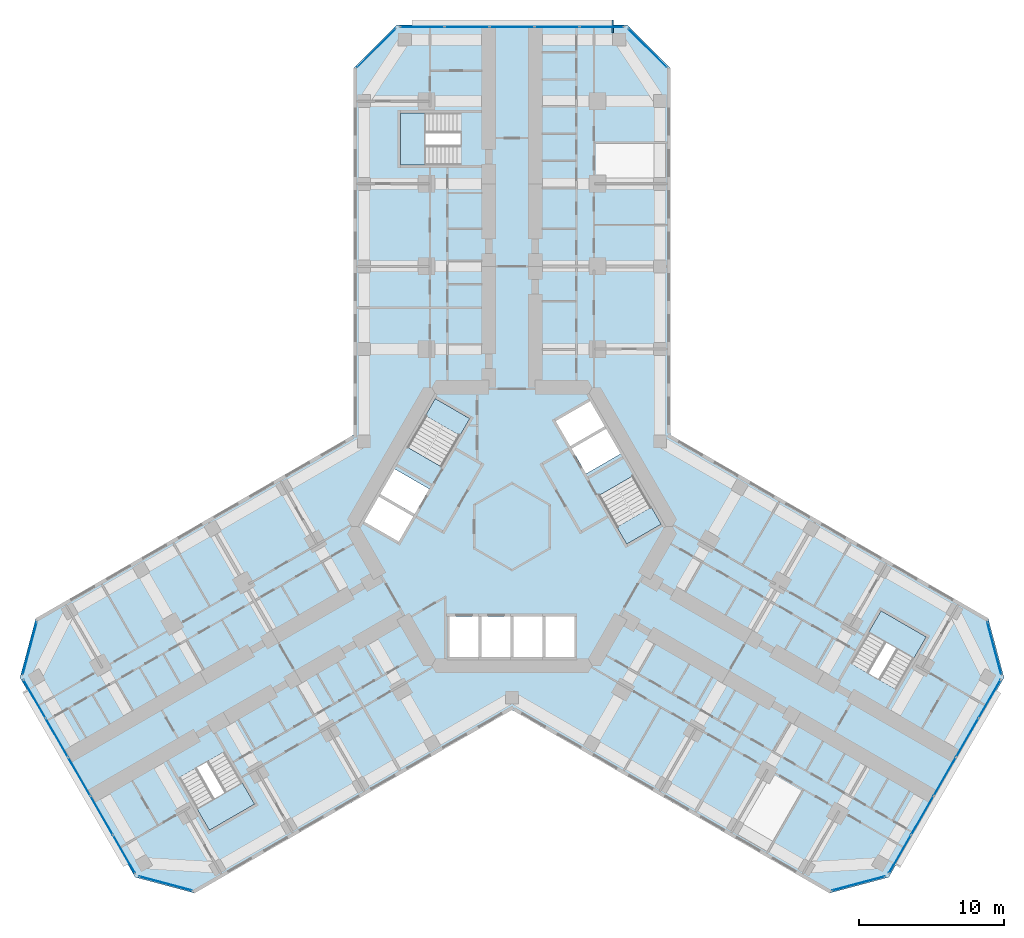
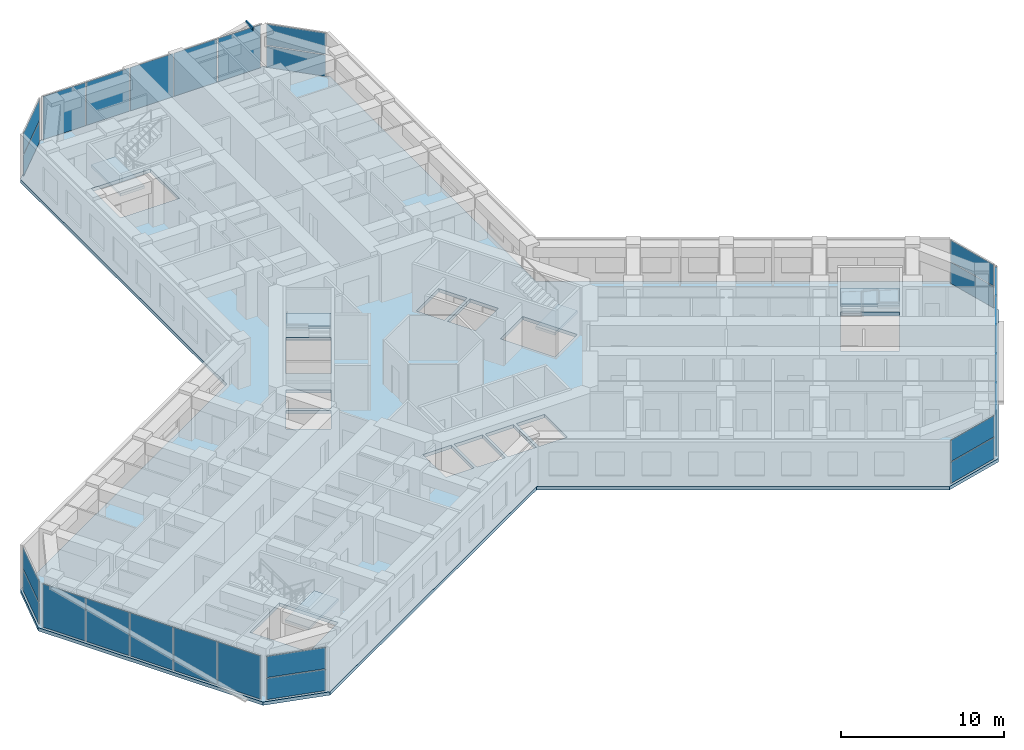
# One storey, part 9 of 21: 27 plates, 6 slabs, 1 member, 14 elements without a shape of their own.
"""IFC4 building model written with IfcOpenShell, lengths in metres."""

from ifc_helpers import new_model, si_unit, direction, frame, origin, origin_2d, place, context, subcontext, project, spatial, polyline, rectangle, hollow_rectangle, outline, extrude, material, layer, layer_set, material_profile, profile_set, type_object, element, aggregate, save


model = new_model("IFC4")

# Units and contexts
model_context = context("Model", 3, precision=1e-05, world=origin(), true_north=direction((0.0, 1.0)))
body_context = subcontext(model_context, "Body", "Model", "MODEL_VIEW")
ifc_project = project(units=[si_unit("LENGTHUNIT", "METRE"), si_unit("AREAUNIT", "SQUARE_METRE"), si_unit("VOLUMEUNIT", "CUBIC_METRE"), si_unit("PLANEANGLEUNIT", "RADIAN"), si_unit("MASSUNIT", "GRAM", prefix="KILO")], contexts=[model_context])

# Site, building, storey
site_placement = place(None, origin())
site = spatial("IfcSite", under=ifc_project, at=site_placement, CompositionType="ELEMENT")
building_placement = place(site_placement, origin())
building = spatial("IfcBuilding", under=site, at=building_placement, Name="Kosmar Iwan School Tower", CompositionType="ELEMENT")
storey_placement = place(building_placement, frame((0.0, 0.0, 102.39990234375)))
storey = spatial("IfcBuildingStorey", under=building, at=storey_placement, Name="L25", CompositionType="ELEMENT", Elevation=102.39990234375)

# Member
ifc_material_1 = material(Name="Steel S355", Category="steel")
ifc_material_profile = material_profile(ifc_material_1, hollow_rectangle(XDim=0.10009765625, YDim=0.199951171875, WallThickness=0.008056640625, at=origin_2d()), Name="RHS 200x100x8")
ifc_profile_set = profile_set([ifc_material_profile], Name="Steel S355")
member_type = type_object("IfcMemberType", Name="Fin bracket RHS 200x100", PredefinedType="USERDEFINED", material=ifc_profile_set)
member_placement = place(storey_placement, frame((6.949951171875, 34.050048828125, 3.47509765625), z_axis=(0.0, 1.0, 0.0), x_axis=(-1.0, 0.0, 0.0)))
element("IfcMember", 1, at=member_placement, inside=storey, type_object=member_type, Name="Fin bracket L26", ObjectType="FIN BRACKET", PredefinedType="USERDEFINED", context=body_context, shape_type="SweptSolid", body=[
    extrude(hollow_rectangle(XDim=0.10009765625, YDim=0.199951171875, WallThickness=0.008056640625, at=origin_2d()), origin(), (0.0, 0.0, 1.0), 0.89990234375),
])

# Curtain wall, plates
ifc_material_2 = material(Name="Dark glass in black aluminium frame", Category="aluminium")
curtain_wall_type_1 = type_object("IfcCurtainWallType", Name="Chamfer curtain wall dark glass", PredefinedType="USERDEFINED", material=ifc_material_2)
curtain_wall_1_placement = place(storey_placement, origin())
curtain_wall_1 = element("IfcCurtainWall", 2, at=curtain_wall_1_placement, inside=storey, type_object=curtain_wall_type_1, Name="Curtain wall L25-F02", ObjectType="FACETED CURTAIN WALL", PredefinedType="USERDEFINED")
ifc_material_3 = material(Name="Dark glass", Category="glass")
ifc_layer_1 = layer(ifc_material_3, 0.028076171875)
ifc_layer_set_1 = layer_set([ifc_layer_1], Name="Dark glass panel 28")
plate_type = type_object("IfcPlateType", Name="Dark glass panel 28", PredefinedType="CURTAIN_PANEL", material=ifc_layer_set_1)
plate_1_placement = place(storey_placement, frame((23.908203125, -24.61328125, 0.06005859375), z_axis=(0.0, 0.0, 1.0), x_axis=(0.965925875495, 0.258818861462, 0.0)))
plate_1 = element("IfcPlate", 3, at=plate_1_placement, type_object=plate_type, Name="CW2 panel 1.1", PredefinedType="CURTAIN_PANEL", context=body_context, shape_type="SweptSolid", body=[
    extrude(rectangle(XDim=3.718994140625, YDim=0.028076171875, at=origin_2d()), origin(), (0.0, 0.0, 1.0), 1.5849609375),
])
plate_2_placement = place(storey_placement, frame((23.908203125, -24.61328125, 1.705078125), z_axis=(0.0, 0.0, 1.0), x_axis=(0.965925875495, 0.258818861462, 0.0)))
plate_2 = element("IfcPlate", 4, at=plate_2_placement, type_object=plate_type, Name="CW2 panel 1.2", PredefinedType="CURTAIN_PANEL", context=body_context, shape_type="SweptSolid", body=[
    extrude(rectangle(XDim=3.718994140625, YDim=0.028076171875, at=origin_2d()), origin(), (0.0, 0.0, 1.0), 1.5849609375),
])
aggregate(curtain_wall_1, [plate_1, plate_2])

ifc_material_4 = material(Name="Dark glass in black aluminium frame", Category="aluminium")
curtain_wall_type_2 = type_object("IfcCurtainWallType", Name="Tower curtain wall dark glass", PredefinedType="USERDEFINED", material=ifc_material_4)
curtain_wall_2_placement = place(storey_placement, origin())
curtain_wall_2 = element("IfcCurtainWall", 5, at=curtain_wall_2_placement, inside=storey, type_object=curtain_wall_type_2, Name="Curtain wall L25-F03", ObjectType="UNITISED CURTAIN WALL", PredefinedType="USERDEFINED")
plate_3_placement = place(storey_placement, frame((26.764404296875, -22.592529296875, 0.06005859375), z_axis=(0.0, 0.0, 1.0), x_axis=(0.499999997325, 0.866025405329, 0.0)))
plate_3 = element("IfcPlate", 6, at=plate_3_placement, type_object=plate_type, Name="CW1 panel 1.1", PredefinedType="CURTAIN_PANEL", context=body_context, shape_type="SweptSolid", body=[
    extrude(rectangle(XDim=3.00927734375, YDim=0.028076171875, at=origin_2d()), origin(), (0.0, 0.0, 1.0), 3.22998046875),
])
plate_4_placement = place(storey_placement, frame((28.306640625, -19.921630859375, 0.06005859375), z_axis=(0.0, 0.0, 1.0), x_axis=(0.499999997325, 0.866025405329, 0.0)))
plate_4 = element("IfcPlate", 7, at=plate_4_placement, type_object=plate_type, Name="CW1 panel 2.1", PredefinedType="CURTAIN_PANEL", context=body_context, shape_type="SweptSolid", body=[
    extrude(rectangle(XDim=3.039306640625, YDim=0.028076171875, at=origin_2d()), origin(), (0.0, 0.0, 1.0), 3.22998046875),
])
plate_5_placement = place(storey_placement, frame((29.856201171875, -17.237548828125, 0.06005859375), z_axis=(0.0, 0.0, 1.0), x_axis=(0.499999997325, 0.866025405329, 0.0)))
plate_5 = element("IfcPlate", 8, at=plate_5_placement, type_object=plate_type, Name="CW1 panel 3.1", PredefinedType="CURTAIN_PANEL", context=body_context, shape_type="SweptSolid", body=[
    extrude(rectangle(XDim=3.039306640625, YDim=0.028076171875, at=origin_2d()), origin(), (0.0, 0.0, 1.0), 3.22998046875),
])
plate_6_placement = place(storey_placement, frame((31.40576171875, -14.553466796875, 0.06005859375), z_axis=(0.0, 0.0, 1.0), x_axis=(0.499999997325, 0.866025405329, 0.0)))
plate_6 = element("IfcPlate", 9, at=plate_6_placement, type_object=plate_type, Name="CW1 panel 4.1", PredefinedType="CURTAIN_PANEL", context=body_context, shape_type="SweptSolid", body=[
    extrude(rectangle(XDim=3.039306640625, YDim=0.028076171875, at=origin_2d()), origin(), (0.0, 0.0, 1.0), 3.22998046875),
])
plate_7_placement = place(storey_placement, frame((32.947998046875, -11.88232421875, 0.06005859375), z_axis=(0.0, 0.0, 1.0), x_axis=(0.499999997325, 0.866025405329, 0.0)))
plate_7 = element("IfcPlate", 10, at=plate_7_placement, type_object=plate_type, Name="CW1 panel 5.1", PredefinedType="CURTAIN_PANEL", context=body_context, shape_type="SweptSolid", body=[
    extrude(rectangle(XDim=3.00927734375, YDim=0.028076171875, at=origin_2d()), origin(), (0.0, 0.0, 1.0), 3.22998046875),
])
aggregate(curtain_wall_2, [plate_3, plate_4, plate_5, plate_6, plate_7])

curtain_wall_3_placement = place(storey_placement, origin())
curtain_wall_3 = element("IfcCurtainWall", 11, at=curtain_wall_3_placement, inside=storey, type_object=curtain_wall_type_1, Name="Curtain wall L25-F04", ObjectType="FACETED CURTAIN WALL", PredefinedType="USERDEFINED")
plate_8_placement = place(storey_placement, frame((33.269775390625, -8.3984375, 0.06005859375), z_axis=(0.0, 0.0, 1.0), x_axis=(-0.258818861462, 0.965925875495, 0.0)))
plate_8 = element("IfcPlate", 12, at=plate_8_placement, type_object=plate_type, Name="CW2 panel 1.1", PredefinedType="CURTAIN_PANEL", context=body_context, shape_type="SweptSolid", body=[
    extrude(rectangle(XDim=3.718994140625, YDim=0.028076171875, at=origin_2d()), origin(), (0.0, 0.0, 1.0), 1.5849609375),
])
plate_9_placement = place(storey_placement, frame((33.269775390625, -8.3984375, 1.705078125), z_axis=(0.0, 0.0, 1.0), x_axis=(-0.258818861462, 0.965925875495, 0.0)))
plate_9 = element("IfcPlate", 13, at=plate_9_placement, type_object=plate_type, Name="CW2 panel 1.2", PredefinedType="CURTAIN_PANEL", context=body_context, shape_type="SweptSolid", body=[
    extrude(rectangle(XDim=3.718994140625, YDim=0.028076171875, at=origin_2d()), origin(), (0.0, 0.0, 1.0), 1.5849609375),
])
aggregate(curtain_wall_3, [plate_8, plate_9])

curtain_wall_4_placement = place(storey_placement, origin())
curtain_wall_4 = element("IfcCurtainWall", 14, at=curtain_wall_4_placement, inside=storey, type_object=curtain_wall_type_1, Name="Curtain wall L25-F07", ObjectType="FACETED CURTAIN WALL", PredefinedType="USERDEFINED")
plate_10_placement = place(storey_placement, frame((9.361572265625, 33.01171875, 0.06005859375), z_axis=(0.0, 0.0, 1.0), x_axis=(-0.707106781187, 0.707106781187, 0.0)))
plate_10 = element("IfcPlate", 15, at=plate_10_placement, type_object=plate_type, Name="CW2 panel 1.1", PredefinedType="CURTAIN_PANEL", context=body_context, shape_type="SweptSolid", body=[
    extrude(rectangle(XDim=3.718994140625, YDim=0.028076171875, at=origin_2d()), origin(), (0.0, 0.0, 1.0), 1.5849609375),
])
plate_11_placement = place(storey_placement, frame((9.361572265625, 33.01171875, 1.705078125), z_axis=(0.0, 0.0, 1.0), x_axis=(-0.707106781187, 0.707106781187, 0.0)))
plate_11 = element("IfcPlate", 16, at=plate_11_placement, type_object=plate_type, Name="CW2 panel 1.2", PredefinedType="CURTAIN_PANEL", context=body_context, shape_type="SweptSolid", body=[
    extrude(rectangle(XDim=3.718994140625, YDim=0.028076171875, at=origin_2d()), origin(), (0.0, 0.0, 1.0), 1.5849609375),
])
aggregate(curtain_wall_4, [plate_10, plate_11])

curtain_wall_5_placement = place(storey_placement, origin())
curtain_wall_5 = element("IfcCurtainWall", 17, at=curtain_wall_5_placement, inside=storey, type_object=curtain_wall_type_2, Name="Curtain wall L25-F08", ObjectType="UNITISED CURTAIN WALL", PredefinedType="USERDEFINED")
plate_12_placement = place(storey_placement, frame((6.18359375, 34.47509765625, 0.06005859375), z_axis=(0.0, 0.0, 1.0), x_axis=(-1.0, 0.0, 0.0)))
plate_12 = element("IfcPlate", 18, at=plate_12_placement, type_object=plate_type, Name="CW1 panel 1.1", PredefinedType="CURTAIN_PANEL", context=body_context, shape_type="SweptSolid", body=[
    extrude(rectangle(XDim=3.00927734375, YDim=0.028076171875, at=origin_2d()), origin(), (0.0, 0.0, 1.0), 3.22998046875),
])
plate_13_placement = place(storey_placement, frame((3.099365234375, 34.47509765625, 0.06005859375), z_axis=(0.0, 0.0, 1.0), x_axis=(-1.0, 0.0, 0.0)))
plate_13 = element("IfcPlate", 19, at=plate_13_placement, type_object=plate_type, Name="CW1 panel 2.1", PredefinedType="CURTAIN_PANEL", context=body_context, shape_type="SweptSolid", body=[
    extrude(rectangle(XDim=3.039306640625, YDim=0.028076171875, at=origin_2d()), origin(), (0.0, 0.0, 1.0), 3.22998046875),
])
plate_14_placement = place(storey_placement, frame((0.0, 34.47509765625, 0.06005859375), z_axis=(0.0, 0.0, 1.0), x_axis=(-1.0, 0.0, 0.0)))
plate_14 = element("IfcPlate", 20, at=plate_14_placement, type_object=plate_type, Name="CW1 panel 3.1", PredefinedType="CURTAIN_PANEL", context=body_context, shape_type="SweptSolid", body=[
    extrude(rectangle(XDim=3.039306640625, YDim=0.028076171875, at=origin_2d()), origin(), (0.0, 0.0, 1.0), 3.22998046875),
])
plate_15_placement = place(storey_placement, frame((-3.099365234375, 34.47509765625, 0.06005859375), z_axis=(0.0, 0.0, 1.0), x_axis=(-1.0, 0.0, 0.0)))
plate_15 = element("IfcPlate", 21, at=plate_15_placement, type_object=plate_type, Name="CW1 panel 4.1", PredefinedType="CURTAIN_PANEL", context=body_context, shape_type="SweptSolid", body=[
    extrude(rectangle(XDim=3.039306640625, YDim=0.028076171875, at=origin_2d()), origin(), (0.0, 0.0, 1.0), 3.22998046875),
])
plate_16_placement = place(storey_placement, frame((-6.18359375, 34.47509765625, 0.06005859375), z_axis=(0.0, 0.0, 1.0), x_axis=(-1.0, 0.0, 0.0)))
plate_16 = element("IfcPlate", 22, at=plate_16_placement, type_object=plate_type, Name="CW1 panel 5.1", PredefinedType="CURTAIN_PANEL", context=body_context, shape_type="SweptSolid", body=[
    extrude(rectangle(XDim=3.00927734375, YDim=0.028076171875, at=origin_2d()), origin(), (0.0, 0.0, 1.0), 3.22998046875),
])
aggregate(curtain_wall_5, [plate_12, plate_13, plate_14, plate_15, plate_16])

curtain_wall_6_placement = place(storey_placement, origin())
curtain_wall_6 = element("IfcCurtainWall", 23, at=curtain_wall_6_placement, inside=storey, type_object=curtain_wall_type_1, Name="Curtain wall L25-F09", ObjectType="FACETED CURTAIN WALL", PredefinedType="USERDEFINED")
plate_17_placement = place(storey_placement, frame((-9.361572265625, 33.01171875, 0.06005859375), z_axis=(0.0, 0.0, 1.0), x_axis=(-0.707106781187, -0.707106781187, 0.0)))
plate_17 = element("IfcPlate", 24, at=plate_17_placement, type_object=plate_type, Name="CW2 panel 1.1", PredefinedType="CURTAIN_PANEL", context=body_context, shape_type="SweptSolid", body=[
    extrude(rectangle(XDim=3.718994140625, YDim=0.028076171875, at=origin_2d()), origin(), (0.0, 0.0, 1.0), 1.5849609375),
])
plate_18_placement = place(storey_placement, frame((-9.361572265625, 33.01171875, 1.705078125), z_axis=(0.0, 0.0, 1.0), x_axis=(-0.707106781187, -0.707106781187, 0.0)))
plate_18 = element("IfcPlate", 25, at=plate_18_placement, type_object=plate_type, Name="CW2 panel 1.2", PredefinedType="CURTAIN_PANEL", context=body_context, shape_type="SweptSolid", body=[
    extrude(rectangle(XDim=3.718994140625, YDim=0.028076171875, at=origin_2d()), origin(), (0.0, 0.0, 1.0), 1.5849609375),
])
aggregate(curtain_wall_6, [plate_17, plate_18])

curtain_wall_7_placement = place(storey_placement, origin())
curtain_wall_7 = element("IfcCurtainWall", 26, at=curtain_wall_7_placement, inside=storey, type_object=curtain_wall_type_1, Name="Curtain wall L25-F12", ObjectType="FACETED CURTAIN WALL", PredefinedType="USERDEFINED")
plate_19_placement = place(storey_placement, frame((-33.269775390625, -8.3984375, 0.06005859375), z_axis=(0.0, 0.0, 1.0), x_axis=(-0.258818861462, -0.965925875495, 0.0)))
plate_19 = element("IfcPlate", 27, at=plate_19_placement, type_object=plate_type, Name="CW2 panel 1.1", PredefinedType="CURTAIN_PANEL", context=body_context, shape_type="SweptSolid", body=[
    extrude(rectangle(XDim=3.718994140625, YDim=0.028076171875, at=origin_2d()), origin(), (0.0, 0.0, 1.0), 1.5849609375),
])
plate_20_placement = place(storey_placement, frame((-33.269775390625, -8.3984375, 1.705078125), z_axis=(0.0, 0.0, 1.0), x_axis=(-0.258818861462, -0.965925875495, 0.0)))
plate_20 = element("IfcPlate", 28, at=plate_20_placement, type_object=plate_type, Name="CW2 panel 1.2", PredefinedType="CURTAIN_PANEL", context=body_context, shape_type="SweptSolid", body=[
    extrude(rectangle(XDim=3.718994140625, YDim=0.028076171875, at=origin_2d()), origin(), (0.0, 0.0, 1.0), 1.5849609375),
])
aggregate(curtain_wall_7, [plate_19, plate_20])

curtain_wall_8_placement = place(storey_placement, origin())
curtain_wall_8 = element("IfcCurtainWall", 29, at=curtain_wall_8_placement, inside=storey, type_object=curtain_wall_type_2, Name="Curtain wall L25-F13", ObjectType="UNITISED CURTAIN WALL", PredefinedType="USERDEFINED")
plate_21_placement = place(storey_placement, frame((-32.947998046875, -11.88232421875, 0.06005859375), z_axis=(0.0, 0.0, 1.0), x_axis=(0.499999997325, -0.866025405329, 0.0)))
plate_21 = element("IfcPlate", 30, at=plate_21_placement, type_object=plate_type, Name="CW1 panel 1.1", PredefinedType="CURTAIN_PANEL", context=body_context, shape_type="SweptSolid", body=[
    extrude(rectangle(XDim=3.00927734375, YDim=0.028076171875, at=origin_2d()), origin(), (0.0, 0.0, 1.0), 3.22998046875),
])
plate_22_placement = place(storey_placement, frame((-31.40576171875, -14.553466796875, 0.06005859375), z_axis=(0.0, 0.0, 1.0), x_axis=(0.499999997325, -0.866025405329, 0.0)))
plate_22 = element("IfcPlate", 31, at=plate_22_placement, type_object=plate_type, Name="CW1 panel 2.1", PredefinedType="CURTAIN_PANEL", context=body_context, shape_type="SweptSolid", body=[
    extrude(rectangle(XDim=3.039306640625, YDim=0.028076171875, at=origin_2d()), origin(), (0.0, 0.0, 1.0), 3.22998046875),
])
plate_23_placement = place(storey_placement, frame((-29.856201171875, -17.237548828125, 0.06005859375), z_axis=(0.0, 0.0, 1.0), x_axis=(0.499999997325, -0.866025405329, 0.0)))
plate_23 = element("IfcPlate", 32, at=plate_23_placement, type_object=plate_type, Name="CW1 panel 3.1", PredefinedType="CURTAIN_PANEL", context=body_context, shape_type="SweptSolid", body=[
    extrude(rectangle(XDim=3.039306640625, YDim=0.028076171875, at=origin_2d()), origin(), (0.0, 0.0, 1.0), 3.22998046875),
])
plate_24_placement = place(storey_placement, frame((-28.306640625, -19.921630859375, 0.06005859375), z_axis=(0.0, 0.0, 1.0), x_axis=(0.499999997325, -0.866025405329, 0.0)))
plate_24 = element("IfcPlate", 33, at=plate_24_placement, type_object=plate_type, Name="CW1 panel 4.1", PredefinedType="CURTAIN_PANEL", context=body_context, shape_type="SweptSolid", body=[
    extrude(rectangle(XDim=3.039306640625, YDim=0.028076171875, at=origin_2d()), origin(), (0.0, 0.0, 1.0), 3.22998046875),
])
plate_25_placement = place(storey_placement, frame((-26.764404296875, -22.592529296875, 0.06005859375), z_axis=(0.0, 0.0, 1.0), x_axis=(0.499999997325, -0.866025405329, 0.0)))
plate_25 = element("IfcPlate", 34, at=plate_25_placement, type_object=plate_type, Name="CW1 panel 5.1", PredefinedType="CURTAIN_PANEL", context=body_context, shape_type="SweptSolid", body=[
    extrude(rectangle(XDim=3.00927734375, YDim=0.028076171875, at=origin_2d()), origin(), (0.0, 0.0, 1.0), 3.22998046875),
])
aggregate(curtain_wall_8, [plate_21, plate_22, plate_23, plate_24, plate_25])

curtain_wall_9_placement = place(storey_placement, origin())
curtain_wall_9 = element("IfcCurtainWall", 35, at=curtain_wall_9_placement, inside=storey, type_object=curtain_wall_type_1, Name="Curtain wall L25-F14", ObjectType="FACETED CURTAIN WALL", PredefinedType="USERDEFINED")
plate_26_placement = place(storey_placement, frame((-23.908203125, -24.61328125, 0.06005859375), z_axis=(0.0, 0.0, 1.0), x_axis=(0.965925875495, -0.258818861462, 0.0)))
plate_26 = element("IfcPlate", 36, at=plate_26_placement, type_object=plate_type, Name="CW2 panel 1.1", PredefinedType="CURTAIN_PANEL", context=body_context, shape_type="SweptSolid", body=[
    extrude(rectangle(XDim=3.718994140625, YDim=0.028076171875, at=origin_2d()), origin(), (0.0, 0.0, 1.0), 1.5849609375),
])
plate_27_placement = place(storey_placement, frame((-23.908203125, -24.61328125, 1.705078125), z_axis=(0.0, 0.0, 1.0), x_axis=(0.965925875495, -0.258818861462, 0.0)))
plate_27 = element("IfcPlate", 37, at=plate_27_placement, type_object=plate_type, Name="CW2 panel 1.2", PredefinedType="CURTAIN_PANEL", context=body_context, shape_type="SweptSolid", body=[
    extrude(rectangle(XDim=3.718994140625, YDim=0.028076171875, at=origin_2d()), origin(), (0.0, 0.0, 1.0), 1.5849609375),
])
aggregate(curtain_wall_9, [plate_26, plate_27])

# Stair, slab
ifc_material_5 = material(Name="Concrete C35/45", Category="concrete")
stair_type_1 = type_object("IfcStairType", Name="Escape stair 3600", PredefinedType="HALF_TURN_STAIR", material=ifc_material_5)
stair_1_placement = place(storey_placement, origin())
stair_1 = element("IfcStair", 38, at=stair_1_placement, inside=storey, type_object=stair_type_1, Name="Stair WS1 L25", PredefinedType="HALF_TURN_STAIR")
ifc_material_6 = material(Name="Concrete C35/45", Category="concrete")
ifc_layer_2 = layer(ifc_material_6, 0.199951171875)
ifc_layer_set_2 = layer_set([ifc_layer_2], Name="Escape stair landing 200")
slab_type_1 = type_object("IfcSlabType", Name="Escape stair landing 200", PredefinedType="LANDING", material=ifc_layer_set_2)
slab_1_placement = place(storey_placement, frame((0.0, 0.0, 1.60009765625)))
slab_1 = element("IfcSlab", 39, at=slab_1_placement, type_object=slab_type_1, Name="WS1 landing 1", PredefinedType="LANDING", context=body_context, shape_type="SweptSolid", body=[
    extrude(outline(polyline([(-6.0, 24.949951171875), (-6.0, 28.550048828125), (-7.699951171875, 28.550048828125), (-7.699951171875, 24.949951171875), (-6.0, 24.949951171875)])), origin(), (0.0, 0.0, 1.0), 0.199951171875),
])
aggregate(stair_1, [slab_1])

stair_2_placement = place(storey_placement, origin())
stair_2 = element("IfcStair", 40, at=stair_2_placement, inside=storey, type_object=stair_type_1, Name="Stair WS2 L25", PredefinedType="HALF_TURN_STAIR")
slab_2_placement = place(storey_placement, frame((0.0, 0.0, 1.60009765625)))
slab_2 = element("IfcSlab", 41, at=slab_2_placement, type_object=slab_type_1, Name="WS2 landing 1", PredefinedType="LANDING", context=body_context, shape_type="SweptSolid", body=[
    extrude(outline(polyline([(-18.607421875, -17.671142578125), (-21.72509765625, -19.47119140625), (-20.875, -20.943359375), (-17.75732421875, -19.143310546875), (-18.607421875, -17.671142578125)])), origin(), (0.0, 0.0, 1.0), 0.199951171875),
])
aggregate(stair_2, [slab_2])

stair_3_placement = place(storey_placement, origin())
stair_3 = element("IfcStair", 42, at=stair_3_placement, inside=storey, type_object=stair_type_1, Name="Stair WS3 L25", PredefinedType="HALF_TURN_STAIR")
slab_3_placement = place(storey_placement, frame((0.0, 0.0, 1.60009765625)))
slab_3 = element("IfcSlab", 43, at=slab_3_placement, type_object=slab_type_1, Name="WS3 landing 1", PredefinedType="LANDING", context=body_context, shape_type="SweptSolid", body=[
    extrude(outline(polyline([(24.607421875, -7.27880859375), (27.72509765625, -9.078857421875), (28.574951171875, -7.606689453125), (25.457275390625, -5.806640625), (24.607421875, -7.27880859375)])), origin(), (0.0, 0.0, 1.0), 0.199951171875),
])
aggregate(stair_3, [slab_3])

# Slab
ifc_material_7 = material(Name="Concrete C35/45", Category="concrete")
ifc_layer_3 = layer(ifc_material_7, 0.25)
ifc_layer_set_3 = layer_set([ifc_layer_3], Name="Floor slab 250")
slab_type_2 = type_object("IfcSlabType", Name="Floor slab 250", PredefinedType="FLOOR", material=ifc_layer_set_3)
slab_4_placement = place(storey_placement, frame((0.0, 0.0, -0.25)))
element("IfcSlab", 44, at=slab_4_placement, inside=storey, type_object=slab_type_2, Name="L25 floor slab", PredefinedType="FLOOR", context=body_context, shape_type="SweptSolid", body=[
    extrude(outline(polyline([(-21.891357421875, -25.282958984375), (0.0, -12.64404296875), (21.891357421875, -25.282958984375), (25.989501953125, -24.184814453125), (33.939453125, -10.4150390625), (32.84130859375, -6.317138671875), (10.949951171875, 6.322021484375), (10.949951171875, 31.60009765625), (7.949951171875, 34.60009765625), (-7.949951171875, 34.60009765625), (-10.949951171875, 31.60009765625), (-10.949951171875, 6.322021484375), (-32.84130859375, -6.317138671875), (-33.939453125, -10.4150390625), (-25.989501953125, -24.184814453125), (-21.891357421875, -25.282958984375)]), holes=[polyline([(7.91259765625, -1.205078125), (10.294189453125, 0.169921875), (8.3642578125, 3.5126953125), (5.982666015625, 2.1376953125), (7.91259765625, -1.205078125)]), polyline([(-2.91259765625, 7.455078125), (-5.294189453125, 8.830078125), (-7.22412109375, 5.4873046875), (-4.8427734375, 4.1123046875), (-2.91259765625, 7.455078125)]), polyline([(-5.712646484375, 2.60546875), (-8.09423828125, 3.98046875), (-9.09423828125, 2.248291015625), (-6.712646484375, 0.873291015625), (-5.712646484375, 2.60546875)]), polyline([(-6.812744140625, 0.7001953125), (-9.1943359375, 2.0751953125), (-10.1943359375, 0.343017578125), (-7.812744140625, -1.031982421875), (-6.812744140625, 0.7001953125)]), polyline([(5.112548828125, 3.64453125), (7.494140625, 5.01953125), (6.494140625, 6.751708984375), (4.112548828125, 5.376708984375), (5.112548828125, 3.64453125)]), polyline([(4.0126953125, 5.5498046875), (6.394287109375, 6.9248046875), (5.394287109375, 8.656982421875), (3.0126953125, 7.281982421875), (4.0126953125, 5.5498046875)]), polyline([(-4.300048828125, -6.199951171875), (-4.300048828125, -9.0), (-2.300048828125, -9.0), (-2.300048828125, -6.199951171875), (-4.300048828125, -6.199951171875)]), polyline([(-2.10009765625, -6.199951171875), (-2.10009765625, -9.0), (-0.10009765625, -9.0), (-0.10009765625, -6.199951171875), (-2.10009765625, -6.199951171875)]), polyline([(0.10009765625, -6.199951171875), (0.10009765625, -9.0), (2.10009765625, -9.0), (2.10009765625, -6.199951171875), (0.10009765625, -6.199951171875)]), polyline([(2.300048828125, -6.199951171875), (2.300048828125, -9.0), (4.300048828125, -9.0), (4.300048828125, -6.199951171875), (2.300048828125, -6.199951171875)]), polyline([(-3.52001953125, 24.949951171875), (-3.52001953125, 28.550048828125), (-7.699951171875, 28.550048828125), (-7.699951171875, 24.949951171875), (-3.52001953125, 24.949951171875)]), polyline([(-19.847412109375, -15.5234375), (-22.965087890625, -17.323486328125), (-20.875, -20.943359375), (-17.75732421875, -19.143310546875), (-19.847412109375, -15.5234375)]), polyline([(23.367431640625, -9.426513671875), (26.485107421875, -11.2265625), (28.574951171875, -7.606689453125), (25.457275390625, -5.806640625), (23.367431640625, -9.426513671875)])]), origin(), (0.0, 0.0, 1.0), 0.25),
])

# Stair, slab
ifc_material_8 = material(Name="Concrete C35/45", Category="concrete")
stair_type_2 = type_object("IfcStairType", Name="Core stair 2750", PredefinedType="HALF_TURN_STAIR", material=ifc_material_8)
stair_4_placement = place(storey_placement, origin())
stair_4 = element("IfcStair", 45, at=stair_4_placement, inside=storey, type_object=stair_type_2, Name="Stair ST2 L25", PredefinedType="HALF_TURN_STAIR")
ifc_material_9 = material(Name="Concrete C35/45", Category="concrete")
ifc_layer_4 = layer(ifc_material_9, 0.199951171875)
ifc_layer_set_4 = layer_set([ifc_layer_4], Name="Stair landing 200")
slab_type_3 = type_object("IfcSlabType", Name="Stair landing 200", PredefinedType="LANDING", material=ifc_layer_set_4)
slab_5_placement = place(storey_placement, frame((0.0, 0.0, 1.60009765625)))
slab_5 = element("IfcSlab", 46, at=slab_5_placement, type_object=slab_type_3, Name="ST2 landing 1", PredefinedType="LANDING", context=body_context, shape_type="SweptSolid", body=[
    extrude(outline(polyline([(-2.91259765625, 7.455078125), (-5.294189453125, 8.830078125), (-5.97412109375, 7.65234375), (-3.5927734375, 6.27734375), (-2.91259765625, 7.455078125)])), origin(), (0.0, 0.0, 1.0), 0.199951171875),
])
aggregate(stair_4, [slab_5])

stair_5_placement = place(storey_placement, origin())
stair_5 = element("IfcStair", 47, at=stair_5_placement, inside=storey, type_object=stair_type_2, Name="Stair ST1 L25", PredefinedType="HALF_TURN_STAIR")
slab_6_placement = place(storey_placement, frame((0.0, 0.0, 1.60009765625)))
slab_6 = element("IfcSlab", 48, at=slab_6_placement, type_object=slab_type_3, Name="ST1 landing 1", PredefinedType="LANDING", context=body_context, shape_type="SweptSolid", body=[
    extrude(outline(polyline([(7.91259765625, -1.205078125), (10.294189453125, 0.169921875), (9.6142578125, 1.34765625), (7.232666015625, -0.02734375), (7.91259765625, -1.205078125)])), origin(), (0.0, 0.0, 1.0), 0.199951171875),
])
aggregate(stair_5, [slab_6])

save(model, "model.ifc")
